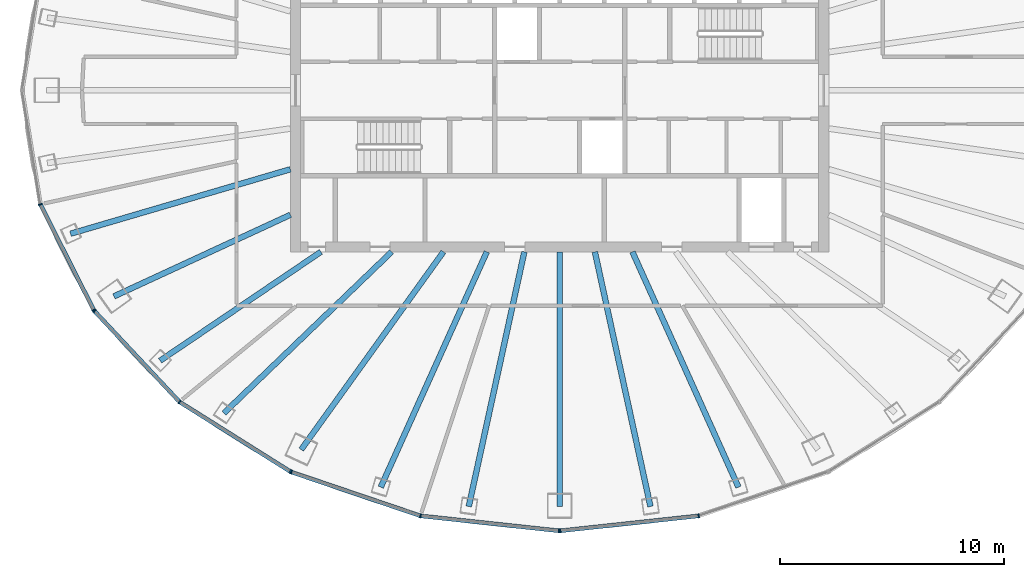
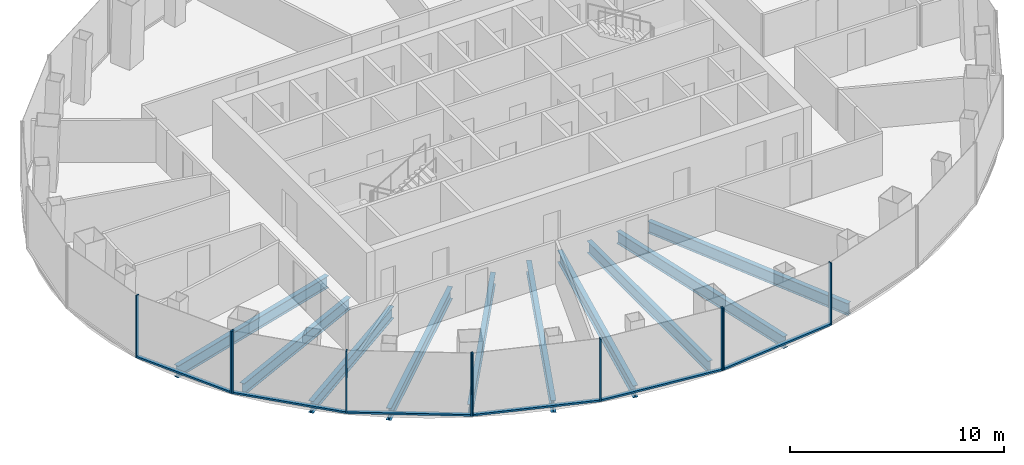
# One storey, part 2 of 10: 16 members, 10 beams, 4 elements without a shape of their own.
"""IFC4 building model written with IfcOpenShell, lengths in metres."""

import ifcopenshell
import ifcopenshell.guid

model = None  # the IFC model being written
_history = None  # IfcOwnerHistory: only IFC2X3 demands one
_inside = {}  # id of a spatial element -> (the spatial element, [elements in it])
_under = {}  # id of a project, library or spatial element -> (it, [spatial elements below it])
_declared = {}  # id of a project -> (the project, [libraries it declares])
_typed = {}  # id of a type object -> (the type object, [elements of that type])
_made_of = {}  # id of a material, layer set ... -> (it, [elements and type objects made of it])


def new_model(schema):
    """Start an empty IFC model of exactly this schema.

    Asked for "IFC4X3", IfcOpenShell would pick the latest addendum, in which some entities
    have other attributes; the version numbers below select the first issue.
    IFC2X3 requires an IfcOwnerHistory on every rooted entity: one is made here for all.
    """
    global model, _history
    if schema == "IFC4X3":
        model = ifcopenshell.file(schema_version=(4, 3, 0, 0))
    else:
        model = ifcopenshell.file(schema=schema)
    _inside.clear()
    _under.clear()
    _declared.clear()
    _typed.clear()
    _made_of.clear()
    _history = None
    if model.schema == "IFC2X3":
        org = make("IfcOrganization", Name="unknown")
        user = make(
            "IfcPersonAndOrganization",
            ThePerson=make("IfcPerson", FamilyName="unknown"),
            TheOrganization=org,
        )
        app = make(
            "IfcApplication",
            ApplicationDeveloper=org,
            Version="unknown",
            ApplicationFullName="unknown",
            ApplicationIdentifier="unknown",
        )
        _history = make(
            "IfcOwnerHistory",
            OwningUser=user,
            OwningApplication=app,
            ChangeAction="ADDED",
            CreationDate=0,
        )
    return model


def make(cls, **values):
    """One entity of the class cls with the attributes given. An attribute that is None is left unset."""
    return model.create_entity(
        cls, **{name: value for name, value in values.items() if value is not None}
    )


def rooted(cls, **values):
    """An entity with a GlobalId (a new one), such as an element, a storey or a relation."""
    return make(cls, GlobalId=ifcopenshell.guid.new(), OwnerHistory=_history, **values)


def si_unit(unit_type, name, prefix=None):
    """IfcSIUnit, for example si_unit("LENGTHUNIT", "METRE", prefix="MILLI")."""
    return make("IfcSIUnit", UnitType=unit_type, Prefix=prefix, Name=name)


def assignment(units):
    """IfcUnitAssignment: the units of a project."""
    return None if units is None else make("IfcUnitAssignment", Units=units)


def point(xyz):
    """IfcCartesianPoint."""
    return None if xyz is None else make("IfcCartesianPoint", Coordinates=xyz)


def direction(xyz):
    """IfcDirection."""
    return None if xyz is None else make("IfcDirection", DirectionRatios=xyz)


def frame(location, z_axis=None, x_axis=None):
    """IfcAxis2Placement3D, a coordinate frame: its origin and axes. An axis left out is left unset."""
    return make(
        "IfcAxis2Placement3D",
        Location=point(location),
        Axis=direction(z_axis),
        RefDirection=direction(x_axis),
    )


def frame_2d(location, x_axis=None):
    """IfcAxis2Placement2D, a coordinate frame in the plane: its origin and x axis."""
    return make(
        "IfcAxis2Placement2D", Location=point(location), RefDirection=direction(x_axis)
    )


def origin():
    """The frame at (0, 0, 0) with its axes left unset."""
    return frame((0.0, 0.0, 0.0))


def origin_2d():
    """The frame at (0, 0) in the plane with its x axis left unset."""
    return frame_2d((0.0, 0.0))


def place(relative_to, where):
    """IfcLocalPlacement: puts the frame where relative to a parent placement (None: the world)."""
    return make(
        "IfcLocalPlacement", PlacementRelTo=relative_to, RelativePlacement=where
    )


def context(
    kind, dimensions, precision=None, world=None, true_north=None, identifier=None
):
    """IfcGeometricRepresentationContext, for example the 3D "Model" context."""
    return make(
        "IfcGeometricRepresentationContext",
        ContextIdentifier=identifier,
        ContextType=kind,
        CoordinateSpaceDimension=dimensions,
        Precision=precision,
        WorldCoordinateSystem=world,
        TrueNorth=true_north,
    )


def subcontext(parent, identifier, kind, view, scale=None):
    """IfcGeometricRepresentationSubContext, for example "Body" below "Model"."""
    return make(
        "IfcGeometricRepresentationSubContext",
        ContextIdentifier=identifier,
        ContextType=kind,
        ParentContext=parent,
        TargetScale=scale,
        TargetView=view,
    )


def project(units=None, contexts=None):
    """IfcProject with its units and contexts."""
    return rooted(
        "IfcProject",
        Name="project",
        RepresentationContexts=contexts,
        UnitsInContext=assignment(units),
    )


def spatial(cls, under=None, at=None, **own):
    """A site, building, storey or space (cls), placed at a placement, below another one or the project."""
    s = rooted(cls, ObjectPlacement=at, **own)
    if under is not None:
        _under.setdefault(under.id(), (under, []))[1].append(s)
    return s


def profile(cls, at=None, kind="AREA", **sizes):
    """A parametric profile (cls). Its sizes go by their IFC names, for example OverallWidth=200.0."""
    return make(cls, ProfileType=kind, Position=at, **sizes)


def rectangle(**sizes):
    """IfcRectangleProfileDef."""
    return profile("IfcRectangleProfileDef", **sizes)


def i_section(**sizes):
    """IfcIShapeProfileDef."""
    return profile("IfcIShapeProfileDef", **sizes)


def extrude(swept, where, along, depth):
    """IfcExtrudedAreaSolid: the profile swept, set in the frame where, extruded along a direction by depth."""
    return make(
        "IfcExtrudedAreaSolid",
        SweptArea=swept,
        Position=where,
        ExtrudedDirection=direction(along),
        Depth=depth,
    )


def shape(context_of_items, identifier, shape_type, items):
    """IfcShapeRepresentation: the items that make up one representation, for example the "Body"."""
    return make(
        "IfcShapeRepresentation",
        ContextOfItems=context_of_items,
        RepresentationIdentifier=identifier,
        RepresentationType=shape_type,
        Items=items,
    )


def material(Name=None, Category=None):
    """IfcMaterial."""
    return make("IfcMaterial", Name=Name, Category=Category)


def layer(
    of_material, thickness, ventilated=None, Name=None, Category=None, Priority=None
):
    """IfcMaterialLayer: one layer of a wall or slab, of a material (None: an air gap)."""
    return make(
        "IfcMaterialLayer",
        Material=of_material,
        LayerThickness=thickness,
        IsVentilated=ventilated,
        Name=Name,
        Category=Category,
        Priority=Priority,
    )


def layer_set(layers, Name=None):
    """IfcMaterialLayerSet."""
    return make("IfcMaterialLayerSet", MaterialLayers=layers, LayerSetName=Name)


def material_profile(
    of_material, cross_section, Name=None, Category=None, Priority=None
):
    """IfcMaterialProfile: a cross section and its material."""
    return make(
        "IfcMaterialProfile",
        Name=Name,
        Material=of_material,
        Profile=cross_section,
        Priority=Priority,
        Category=Category,
    )


def profile_set(profiles, Name=None, composite=None):
    """IfcMaterialProfileSet."""
    return make(
        "IfcMaterialProfileSet",
        Name=Name,
        MaterialProfiles=profiles,
        CompositeProfile=composite,
    )


def made_of(thing, what):
    """Note that an element or type object is made of a material, layer set ...; save() writes the relation."""
    if what is not None:
        _made_of.setdefault(what.id(), (what, []))[1].append(thing)
    return thing


def type_object(cls, material=None, **own):
    """A type object (cls), such as IfcWallType, which elements share."""
    return made_of(rooted(cls, **own), material)


def element(
    cls,
    number,
    at=None,
    inside=None,
    cuts=None,
    type_object=None,
    material=None,
    context=None,
    identifier="Body",
    shape_type=None,
    held_by="IfcProductDefinitionShape",
    body=None,
    shapes=None,
    **own,
):
    """One element of the class cls, such as IfcWall. Its Tag is "e" and its number.

    at: its placement. inside: the storey or other place that contains it. cuts: it is an
    opening in that element (IfcRelVoidsElement). A single representation is given by context,
    identifier, shape_type and body (its items); several are given by shapes. held_by: the class
    of the entity that holds the representations. save() writes the other relations.
    """
    e = rooted(cls, Tag="e%d" % number, ObjectPlacement=at, **own)
    if body is not None:
        shapes = [shape(context, identifier, shape_type, body)]
    if shapes is not None:
        e.Representation = make(held_by, Representations=shapes)
    if inside is not None:
        _inside.setdefault(inside.id(), (inside, []))[1].append(e)
    if cuts is not None:
        rooted(
            "IfcRelVoidsElement", RelatingBuildingElement=cuts, RelatedOpeningElement=e
        )
    if type_object is not None:
        _typed.setdefault(type_object.id(), (type_object, []))[1].append(e)
    return made_of(e, material)


def aggregate(whole, parts):
    """IfcRelAggregates: a whole, such as a stair, and the parts it consists of."""
    return rooted("IfcRelAggregates", RelatingObject=whole, RelatedObjects=parts)


def save(model, path):
    """Write the relations noted so far, then the file.

    IfcRelAggregates (storeys below a building ...), IfcRelContainedInSpatialStructure (elements
    in a storey), IfcRelDefinesByType, IfcRelAssociatesMaterial and IfcRelDeclares: one each for
    every whole, place, type object, material and project.
    """
    for whole, parts in _under.values():
        aggregate(whole, parts)
    for where, things in _inside.values():
        rooted(
            "IfcRelContainedInSpatialStructure",
            RelatedElements=things,
            RelatingStructure=where,
        )
    for kind, things in _typed.values():
        rooted("IfcRelDefinesByType", RelatedObjects=things, RelatingType=kind)
    for what, things in _made_of.values():
        rooted("IfcRelAssociatesMaterial", RelatedObjects=things, RelatingMaterial=what)
    for by, libraries in _declared.values():
        rooted("IfcRelDeclares", RelatingContext=by, RelatedDefinitions=libraries)
    model.write(path)


model = new_model("IFC4")

# Units and contexts
model_context = context("Model", 3, precision=1e-05, world=origin(), true_north=direction((0.0, 1.0)))
body_context = subcontext(model_context, "Body", "Model", "MODEL_VIEW")
ifc_project = project(units=[si_unit("LENGTHUNIT", "METRE"), si_unit("AREAUNIT", "SQUARE_METRE"), si_unit("VOLUMEUNIT", "CUBIC_METRE"), si_unit("PLANEANGLEUNIT", "RADIAN"), si_unit("MASSUNIT", "GRAM", prefix="KILO")], contexts=[model_context])

# Site, building, storey
site_placement = place(None, origin())
site = spatial("IfcSite", under=ifc_project, at=site_placement, CompositionType="ELEMENT")
building_placement = place(site_placement, origin())
building = spatial("IfcBuilding", under=site, at=building_placement, Name="Siaravel Broadcast Tower", CompositionType="ELEMENT")
storey_placement = place(building_placement, frame((0.0, 0.0, 160.800048828125)))
storey = spatial("IfcBuildingStorey", under=building, at=storey_placement, Name="L38", CompositionType="ELEMENT", Elevation=160.800048828125)

# Beams
ifc_material_1 = material(Name="Steel S355", Category="steel")
ifc_material_profile_1 = material_profile(ifc_material_1, i_section(OverallWidth=0.2529296875, OverallDepth=0.677978515625, WebThickness=0.01171875, FlangeThickness=0.01611328125, FilletRadius=0.01513671875, at=origin_2d()))
ifc_profile_set_1 = profile_set([ifc_material_profile_1], Name="Steel S355")
beam_type = type_object("IfcBeamType", Name="BM-UB 686x254x125", PredefinedType="BEAM", material=ifc_profile_set_1)
beam_1_placement = place(storey_placement, frame((-21.7998046875, -6.392333984375, -0.489013671875), z_axis=(0.959597387, 0.281376713, 0.0), x_axis=(-0.281376713, 0.959597387, 0.0)))
element("IfcBeam", 1, at=beam_1_placement, inside=storey, type_object=beam_type, Name="Radial beam RB21", PredefinedType="BEAM", context=body_context, shape_type="SweptSolid", body=[
    extrude(i_section(OverallWidth=0.2529296875, OverallDepth=0.677978515625, WebThickness=0.01171875, FlangeThickness=0.01611328125, FilletRadius=0.01513671875, at=origin_2d()), origin(), (0.0, 0.0, 1.0), 10.21240234375),
])
beam_2_placement = place(storey_placement, frame((-19.865478515625, -9.18603515625, -0.489013671875), z_axis=(0.907663131, 0.419699465, 0.0), x_axis=(-0.419699465, 0.907663131, 0.0)))
element("IfcBeam", 2, at=beam_2_placement, inside=storey, type_object=beam_type, Name="Radial beam RB22", PredefinedType="BEAM", context=body_context, shape_type="SweptSolid", body=[
    extrude(i_section(OverallWidth=0.2529296875, OverallDepth=0.677978515625, WebThickness=0.01171875, FlangeThickness=0.01611328125, FilletRadius=0.01513671875, at=origin_2d()), origin(), (0.0, 0.0, 1.0), 8.66552734375),
])
beam_3_placement = place(storey_placement, frame((-17.80859375, -12.0517578125, -0.489013671875), z_axis=(0.828172913, 0.560472682, 0.0), x_axis=(-0.560472682, 0.828172913, 0.0)))
element("IfcBeam", 3, at=beam_3_placement, inside=storey, type_object=beam_type, Name="Radial beam RB23", PredefinedType="BEAM", context=body_context, shape_type="SweptSolid", body=[
    extrude(i_section(OverallWidth=0.2529296875, OverallDepth=0.677978515625, WebThickness=0.01171875, FlangeThickness=0.01611328125, FilletRadius=0.01513671875, at=origin_2d()), origin(), (0.0, 0.0, 1.0), 8.65673828125),
])
beam_4_placement = place(storey_placement, frame((-14.958984375, -14.385498046875, -0.489013671875), z_axis=(0.720795955, 0.693147309, 0.0), x_axis=(-0.693147309, 0.720795955, 0.0)))
element("IfcBeam", 4, at=beam_4_placement, inside=storey, type_object=beam_type, Name="Radial beam RB24", PredefinedType="BEAM", context=body_context, shape_type="SweptSolid", body=[
    extrude(i_section(OverallWidth=0.2529296875, OverallDepth=0.677978515625, WebThickness=0.01171875, FlangeThickness=0.01611328125, FilletRadius=0.01513671875, at=origin_2d()), origin(), (0.0, 0.0, 1.0), 10.366455078125),
])
beam_5_placement = place(storey_placement, frame((-11.518310546875, -16.01416015625, -0.489013671875), z_axis=(0.583902436, 0.811823839, 0.0), x_axis=(-0.811823839, 0.583902436, 0.0)))
element("IfcBeam", 5, at=beam_5_placement, inside=storey, type_object=beam_type, Name="Radial beam RB25", PredefinedType="BEAM", context=body_context, shape_type="SweptSolid", body=[
    extrude(i_section(OverallWidth=0.2529296875, OverallDepth=0.677978515625, WebThickness=0.01171875, FlangeThickness=0.01611328125, FilletRadius=0.01513671875, at=origin_2d()), origin(), (0.0, 0.0, 1.0), 10.857177734375),
])
beam_6_placement = place(storey_placement, frame((-7.971923828125, -17.688720703125, -0.489013671875), z_axis=(0.410878148, 0.911690269, 0.0), x_axis=(-0.911690269, 0.410878148, 0.0)))
element("IfcBeam", 6, at=beam_6_placement, inside=storey, type_object=beam_type, Name="Radial beam RB26", PredefinedType="BEAM", context=body_context, shape_type="SweptSolid", body=[
    extrude(i_section(OverallWidth=0.2529296875, OverallDepth=0.677978515625, WebThickness=0.01171875, FlangeThickness=0.01611328125, FilletRadius=0.01513671875, at=origin_2d()), origin(), (0.0, 0.0, 1.0), 11.504638671875),
])
beam_7_placement = place(storey_placement, frame((-4.04931640625, -18.549560546875, -0.489013671875), z_axis=(0.213270662, 0.976993155, 0.0), x_axis=(-0.976993155, 0.213270662, 0.0)))
element("IfcBeam", 7, at=beam_7_placement, inside=storey, type_object=beam_type, Name="Radial beam RB27", PredefinedType="BEAM", context=body_context, shape_type="SweptSolid", body=[
    extrude(i_section(OverallWidth=0.2529296875, OverallDepth=0.677978515625, WebThickness=0.01171875, FlangeThickness=0.01611328125, FilletRadius=0.01513671875, at=origin_2d()), origin(), (0.0, 0.0, 1.0), 11.616943359375),
])
beam_8_placement = place(storey_placement, frame((0.0, -18.539794921875, -0.489013671875), z_axis=(0.0, 1.0, 0.0), x_axis=(-1.0, 0.0, 0.0)))
element("IfcBeam", 8, at=beam_8_placement, inside=storey, type_object=beam_type, Name="Radial beam RB28", PredefinedType="BEAM", context=body_context, shape_type="SweptSolid", body=[
    extrude(i_section(OverallWidth=0.2529296875, OverallDepth=0.677978515625, WebThickness=0.01171875, FlangeThickness=0.01611328125, FilletRadius=0.01513671875, at=origin_2d()), origin(), (0.0, 0.0, 1.0), 11.33984375),
])
beam_9_placement = place(storey_placement, frame((4.04931640625, -18.549560546875, -0.489013671875), z_axis=(-0.213270662, 0.976993155, 0.0), x_axis=(-0.976993155, -0.213270662, 0.0)))
element("IfcBeam", 9, at=beam_9_placement, inside=storey, type_object=beam_type, Name="Radial beam RB29", PredefinedType="BEAM", context=body_context, shape_type="SweptSolid", body=[
    extrude(i_section(OverallWidth=0.2529296875, OverallDepth=0.677978515625, WebThickness=0.01171875, FlangeThickness=0.01611328125, FilletRadius=0.01513671875, at=origin_2d()), origin(), (0.0, 0.0, 1.0), 11.616943359375),
])
beam_10_placement = place(storey_placement, frame((7.971923828125, -17.688720703125, -0.489013671875), z_axis=(-0.410878148, 0.911690269, 0.0), x_axis=(-0.911690269, -0.410878148, 0.0)))
element("IfcBeam", 10, at=beam_10_placement, inside=storey, type_object=beam_type, Name="Radial beam RB30", PredefinedType="BEAM", context=body_context, shape_type="SweptSolid", body=[
    extrude(i_section(OverallWidth=0.2529296875, OverallDepth=0.677978515625, WebThickness=0.01171875, FlangeThickness=0.01611328125, FilletRadius=0.01513671875, at=origin_2d()), origin(), (0.0, 0.0, 1.0), 11.504638671875),
])

# Curtain wall, members
ifc_material_2 = material(Name="Aluminium 6063-T6", Category="aluminium")
ifc_layer = layer(ifc_material_2, 0.179931640625)
ifc_layer_set = layer_set([ifc_layer], Name="Aluminium 6063-T6")
curtain_wall_type = type_object("IfcCurtainWallType", Name="Unitised curtain wall, zone 3", PredefinedType="NOTDEFINED", material=ifc_layer_set)
curtain_wall_1_placement = place(storey_placement, origin())
curtain_wall_1 = element("IfcCurtainWall", 11, at=curtain_wall_1_placement, inside=storey, type_object=curtain_wall_type, Name="L38 Unitised curtain wall, zone 3 07", PredefinedType="NOTDEFINED")
ifc_material_profile_2 = material_profile(ifc_material_2, rectangle(XDim=0.179931640625, YDim=0.06005859375, at=origin_2d()))
ifc_profile_set_2 = profile_set([ifc_material_profile_2], Name="Aluminium 6063-T6")
member_type_1 = type_object("IfcMemberType", Name="CW-Z3 mullion", PredefinedType="MULLION", material=ifc_profile_set_2)
member_1_placement = place(storey_placement, frame((-23.1455078125, -5.085205078125, 0.0), z_axis=(0.0, 0.0, 1.0), x_axis=(0.951177457, 0.30864453, 0.0)))
member_1 = element("IfcMember", 12, at=member_1_placement, type_object=member_type_1, Name="CW-Z3 mullion 2", PredefinedType="MULLION", context=body_context, shape_type="SweptSolid", body=[
    extrude(rectangle(XDim=0.179931640625, YDim=0.06005859375, at=origin_2d()), origin(), (0.0, 0.0, 1.0), 3.550048828125),
])
member_2_placement = place(storey_placement, frame((-20.763427734375, -9.795654296875, 0.0), z_axis=(0.0, 0.0, 1.0), x_axis=(0.89239259, 0.451259864, 0.0)))
member_2 = element("IfcMember", 13, at=member_2_placement, type_object=member_type_1, Name="CW-Z3 mullion 3", PredefinedType="MULLION", context=body_context, shape_type="SweptSolid", body=[
    extrude(rectangle(XDim=0.179931640625, YDim=0.06005859375, at=origin_2d()), origin(), (0.0, 0.0, 1.0), 3.550048828125),
])

curtain_wall_2_placement = place(storey_placement, origin())
curtain_wall_2 = element("IfcCurtainWall", 14, at=curtain_wall_2_placement, inside=storey, type_object=curtain_wall_type, Name="L38 Unitised curtain wall, zone 3 08", PredefinedType="NOTDEFINED")
member_3_placement = place(storey_placement, frame((-20.7294921875, -9.844482421875, 0.0), z_axis=(0.0, 0.0, 1.0), x_axis=(0.729806172, 0.683654117, 0.0)))
member_3 = element("IfcMember", 15, at=member_3_placement, type_object=member_type_1, Name="CW-Z3 mullion 1", PredefinedType="MULLION", context=body_context, shape_type="SweptSolid", body=[
    extrude(rectangle(XDim=0.179931640625, YDim=0.06005859375, at=origin_2d()), origin(), (0.0, 0.0, 1.0), 3.550048828125),
])
member_4_placement = place(storey_placement, frame((-16.940673828125, -13.888916015625, 0.0), z_axis=(0.0, 0.0, 1.0), x_axis=(0.63621963, 0.771507993, 0.0)))
member_4 = element("IfcMember", 16, at=member_4_placement, type_object=member_type_1, Name="CW-Z3 mullion 2", PredefinedType="MULLION", context=body_context, shape_type="SweptSolid", body=[
    extrude(rectangle(XDim=0.179931640625, YDim=0.06005859375, at=origin_2d()), origin(), (0.0, 0.0, 1.0), 3.550048828125),
])
member_5_placement = place(storey_placement, frame((-12.003173828125, -16.9921875, 0.0), z_axis=(0.0, 0.0, 1.0), x_axis=(0.532150259, 0.846649928, 0.0)))
member_5 = element("IfcMember", 17, at=member_5_placement, type_object=member_type_1, Name="CW-Z3 mullion 3", PredefinedType="MULLION", context=body_context, shape_type="SweptSolid", body=[
    extrude(rectangle(XDim=0.179931640625, YDim=0.06005859375, at=origin_2d()), origin(), (0.0, 0.0, 1.0), 3.550048828125),
])

curtain_wall_3_placement = place(storey_placement, origin())
curtain_wall_3 = element("IfcCurtainWall", 18, at=curtain_wall_3_placement, inside=storey, type_object=curtain_wall_type, Name="L38 Unitised curtain wall, zone 3 09", PredefinedType="NOTDEFINED")
member_6_placement = place(storey_placement, frame((-11.949462890625, -17.017822265625, 0.0), z_axis=(0.0, 0.0, 1.0), x_axis=(0.321301405, 0.946976983, 0.0)))
member_6 = element("IfcMember", 19, at=member_6_placement, type_object=member_type_1, Name="CW-Z3 mullion 1", PredefinedType="MULLION", context=body_context, shape_type="SweptSolid", body=[
    extrude(rectangle(XDim=0.179931640625, YDim=0.06005859375, at=origin_2d()), origin(), (0.0, 0.0, 1.0), 3.550048828125),
])
member_7_placement = place(storey_placement, frame((-6.19970703125, -18.96875, 0.0), z_axis=(0.0, 0.0, 1.0), x_axis=(0.215558612, 0.976490903, 0.0)))
member_7 = element("IfcMember", 20, at=member_7_placement, type_object=member_type_1, Name="CW-Z3 mullion 2", PredefinedType="MULLION", context=body_context, shape_type="SweptSolid", body=[
    extrude(rectangle(XDim=0.179931640625, YDim=0.06005859375, at=origin_2d()), origin(), (0.0, 0.0, 1.0), 3.550048828125),
])
member_8_placement = place(storey_placement, frame((-0.02978515625, -19.634033203125, 0.0), z_axis=(0.0, 0.0, 1.0), x_axis=(0.107217776, 0.99423556, 0.0)))
member_8 = element("IfcMember", 21, at=member_8_placement, type_object=member_type_1, Name="CW-Z3 mullion 3", PredefinedType="MULLION", context=body_context, shape_type="SweptSolid", body=[
    extrude(rectangle(XDim=0.179931640625, YDim=0.06005859375, at=origin_2d()), origin(), (0.0, 0.0, 1.0), 3.550048828125),
])

curtain_wall_4_placement = place(storey_placement, origin())
curtain_wall_4 = element("IfcCurtainWall", 22, at=curtain_wall_4_placement, inside=storey, type_object=curtain_wall_type, Name="L38 Unitised curtain wall, zone 3 10", PredefinedType="NOTDEFINED")
member_9_placement = place(storey_placement, frame((0.02978515625, -19.634033203125, 0.0), z_axis=(0.0, 0.0, 1.0), x_axis=(-0.107217776, 0.99423556, 0.0)))
member_9 = element("IfcMember", 23, at=member_9_placement, type_object=member_type_1, Name="CW-Z3 mullion 1", PredefinedType="MULLION", context=body_context, shape_type="SweptSolid", body=[
    extrude(rectangle(XDim=0.179931640625, YDim=0.06005859375, at=origin_2d()), origin(), (0.0, 0.0, 1.0), 3.550048828125),
])
member_10_placement = place(storey_placement, frame((6.19970703125, -18.96875, 0.0), z_axis=(0.0, 0.0, 1.0), x_axis=(-0.215558612, 0.976490903, 0.0)))
member_10 = element("IfcMember", 24, at=member_10_placement, type_object=member_type_1, Name="CW-Z3 mullion 2", PredefinedType="MULLION", context=body_context, shape_type="SweptSolid", body=[
    extrude(rectangle(XDim=0.179931640625, YDim=0.06005859375, at=origin_2d()), origin(), (0.0, 0.0, 1.0), 3.550048828125),
])

# Member
ifc_material_profile_3 = material_profile(ifc_material_2, rectangle(XDim=0.179931640625, YDim=0.10009765625, at=origin_2d()))
ifc_profile_set_3 = profile_set([ifc_material_profile_3], Name="Aluminium 6063-T6")
member_type_2 = type_object("IfcMemberType", Name="CW-Z3 transom", PredefinedType="USERDEFINED", material=ifc_profile_set_3)
member_11_placement = place(storey_placement, frame((-23.132080078125, -5.11181640625, 0.050048828125), z_axis=(0.451269759, -0.892387586, 0.0), x_axis=(0.892387586, 0.451269759, 0.0)))
member_11 = element("IfcMember", 25, at=member_11_placement, type_object=member_type_2, Name="CW-Z3 transom 2", ObjectType="TRANSOM", PredefinedType="USERDEFINED", context=body_context, shape_type="SweptSolid", body=[
    extrude(rectangle(XDim=0.179931640625, YDim=0.10009765625, at=origin_2d()), origin(), (0.0, 0.0, 1.0), 5.218505859375),
])

aggregate(curtain_wall_1, [member_1, member_2, member_11])

member_12_placement = place(storey_placement, frame((-20.708984375, -9.8662109375, 0.050048828125), z_axis=(0.68363887, -0.729820454, 0.0), x_axis=(0.729820454, 0.68363887, 0.0)))
member_12 = element("IfcMember", 26, at=member_12_placement, type_object=member_type_2, Name="CW-Z3 transom 1", ObjectType="TRANSOM", PredefinedType="USERDEFINED", context=body_context, shape_type="SweptSolid", body=[
    extrude(rectangle(XDim=0.179931640625, YDim=0.10009765625, at=origin_2d()), origin(), (0.0, 0.0, 1.0), 5.482177734375),
])

member_13_placement = place(storey_placement, frame((-16.915283203125, -13.905029296875, 0.050048828125), z_axis=(0.846664863, -0.532126498, 0.0), x_axis=(0.532126498, 0.846664863, 0.0)))
member_13 = element("IfcMember", 27, at=member_13_placement, type_object=member_type_2, Name="CW-Z3 transom 2", ObjectType="TRANSOM", PredefinedType="USERDEFINED", context=body_context, shape_type="SweptSolid", body=[
    extrude(rectangle(XDim=0.179931640625, YDim=0.10009765625, at=origin_2d()), origin(), (0.0, 0.0, 1.0), 5.771728515625),
])

aggregate(curtain_wall_2, [member_3, member_4, member_5, member_12, member_13])

member_14_placement = place(storey_placement, frame((-11.9208984375, -17.027587890625, 0.050048828125), z_axis=(0.946980245, -0.321291792, 0.0), x_axis=(0.321291792, 0.946980245, 0.0)))
member_14 = element("IfcMember", 28, at=member_14_placement, type_object=member_type_2, Name="CW-Z3 transom 1", ObjectType="TRANSOM", PredefinedType="USERDEFINED", context=body_context, shape_type="SweptSolid", body=[
    extrude(rectangle(XDim=0.179931640625, YDim=0.10009765625, at=origin_2d()), origin(), (0.0, 0.0, 1.0), 6.01123046875),
])

member_15_placement = place(storey_placement, frame((-6.169921875, -18.971923828125, 0.050048828125), z_axis=(0.994235123, -0.107221824, 0.0), x_axis=(0.107221824, 0.994235123, 0.0)))
member_15 = element("IfcMember", 29, at=member_15_placement, type_object=member_type_2, Name="CW-Z3 transom 2", ObjectType="TRANSOM", PredefinedType="USERDEFINED", context=body_context, shape_type="SweptSolid", body=[
    extrude(rectangle(XDim=0.179931640625, YDim=0.10009765625, at=origin_2d()), origin(), (0.0, 0.0, 1.0), 6.1455078125),
])

aggregate(curtain_wall_3, [member_6, member_7, member_8, member_14, member_15])

member_16_placement = place(storey_placement, frame((0.059814453125, -19.630859375, 0.050048828125), z_axis=(0.994235123, 0.107221824, 0.0), x_axis=(-0.107221824, 0.994235123, 0.0)))
member_16 = element("IfcMember", 30, at=member_16_placement, type_object=member_type_2, Name="CW-Z3 transom 1", ObjectType="TRANSOM", PredefinedType="USERDEFINED", context=body_context, shape_type="SweptSolid", body=[
    extrude(rectangle(XDim=0.179931640625, YDim=0.10009765625, at=origin_2d()), origin(), (0.0, 0.0, 1.0), 6.1455078125),
])

aggregate(curtain_wall_4, [member_9, member_10, member_16])

save(model, "model.ifc")
